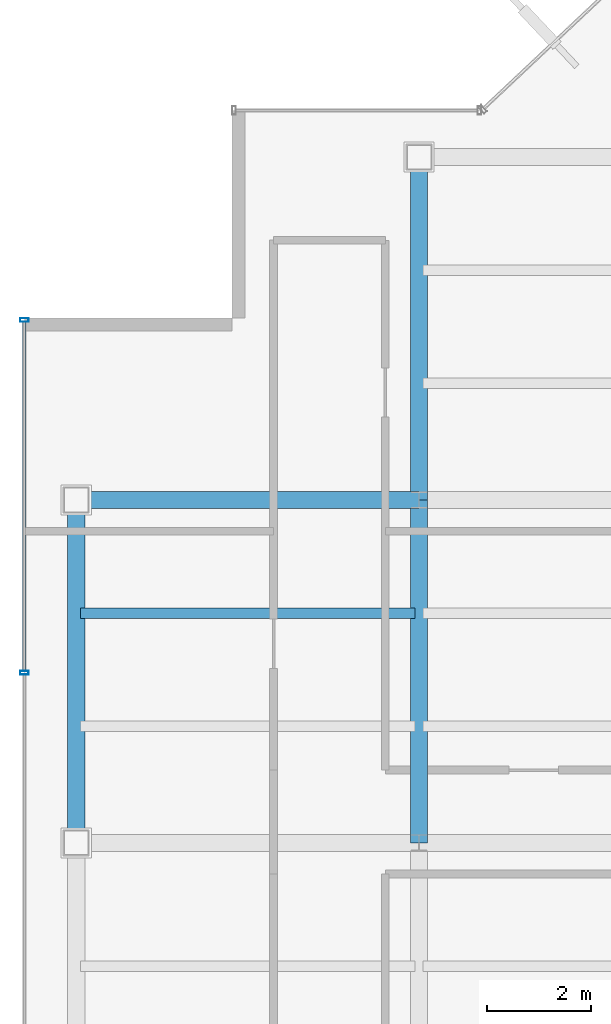
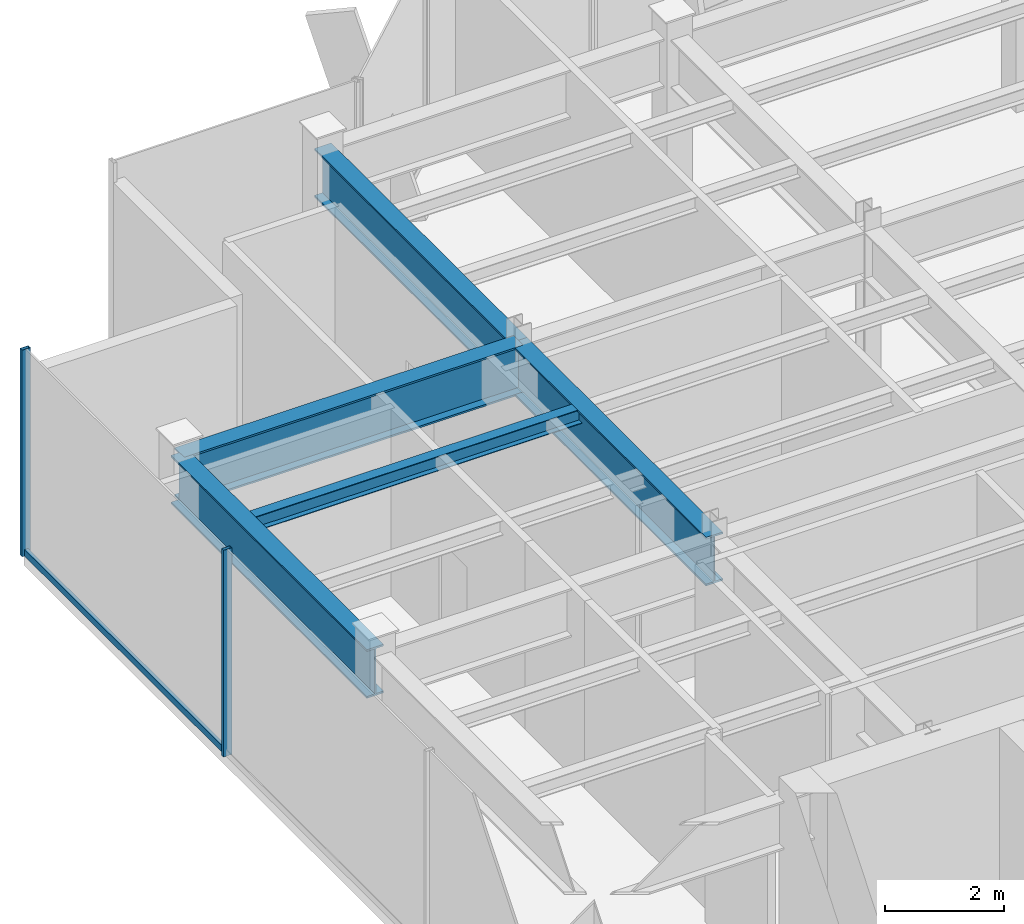
# One storey, part 7 of 24: 5 beams, 3 members, 1 element without a shape of its own.
"""IFC4 building model written with IfcOpenShell, lengths in metres."""

import ifcopenshell
import ifcopenshell.guid

model = None  # the IFC model being written
_history = None  # IfcOwnerHistory: only IFC2X3 demands one
_inside = {}  # id of a spatial element -> (the spatial element, [elements in it])
_under = {}  # id of a project, library or spatial element -> (it, [spatial elements below it])
_declared = {}  # id of a project -> (the project, [libraries it declares])
_typed = {}  # id of a type object -> (the type object, [elements of that type])
_made_of = {}  # id of a material, layer set ... -> (it, [elements and type objects made of it])


def new_model(schema):
    """Start an empty IFC model of exactly this schema.

    Asked for "IFC4X3", IfcOpenShell would pick the latest addendum, in which some entities
    have other attributes; the version numbers below select the first issue.
    IFC2X3 requires an IfcOwnerHistory on every rooted entity: one is made here for all.
    """
    global model, _history
    if schema == "IFC4X3":
        model = ifcopenshell.file(schema_version=(4, 3, 0, 0))
    else:
        model = ifcopenshell.file(schema=schema)
    _inside.clear()
    _under.clear()
    _declared.clear()
    _typed.clear()
    _made_of.clear()
    _history = None
    if model.schema == "IFC2X3":
        org = make("IfcOrganization", Name="unknown")
        user = make(
            "IfcPersonAndOrganization",
            ThePerson=make("IfcPerson", FamilyName="unknown"),
            TheOrganization=org,
        )
        app = make(
            "IfcApplication",
            ApplicationDeveloper=org,
            Version="unknown",
            ApplicationFullName="unknown",
            ApplicationIdentifier="unknown",
        )
        _history = make(
            "IfcOwnerHistory",
            OwningUser=user,
            OwningApplication=app,
            ChangeAction="ADDED",
            CreationDate=0,
        )
    return model


def make(cls, **values):
    """One entity of the class cls with the attributes given. An attribute that is None is left unset."""
    return model.create_entity(
        cls, **{name: value for name, value in values.items() if value is not None}
    )


def rooted(cls, **values):
    """An entity with a GlobalId (a new one), such as an element, a storey or a relation."""
    return make(cls, GlobalId=ifcopenshell.guid.new(), OwnerHistory=_history, **values)


def si_unit(unit_type, name, prefix=None):
    """IfcSIUnit, for example si_unit("LENGTHUNIT", "METRE", prefix="MILLI")."""
    return make("IfcSIUnit", UnitType=unit_type, Prefix=prefix, Name=name)


def derived_unit(unit_type, elements):
    """IfcDerivedUnit: a product of units, each with its exponent."""
    return make(
        "IfcDerivedUnit",
        Elements=[
            make("IfcDerivedUnitElement", Unit=unit, Exponent=power)
            for unit, power in elements
        ],
        UnitType=unit_type,
    )


def assignment(units):
    """IfcUnitAssignment: the units of a project."""
    return None if units is None else make("IfcUnitAssignment", Units=units)


def point(xyz):
    """IfcCartesianPoint."""
    return None if xyz is None else make("IfcCartesianPoint", Coordinates=xyz)


def direction(xyz):
    """IfcDirection."""
    return None if xyz is None else make("IfcDirection", DirectionRatios=xyz)


def frame(location, z_axis=None, x_axis=None):
    """IfcAxis2Placement3D, a coordinate frame: its origin and axes. An axis left out is left unset."""
    return make(
        "IfcAxis2Placement3D",
        Location=point(location),
        Axis=direction(z_axis),
        RefDirection=direction(x_axis),
    )


def frame_2d(location, x_axis=None):
    """IfcAxis2Placement2D, a coordinate frame in the plane: its origin and x axis."""
    return make(
        "IfcAxis2Placement2D", Location=point(location), RefDirection=direction(x_axis)
    )


def origin():
    """The frame at (0, 0, 0) with its axes left unset."""
    return frame((0.0, 0.0, 0.0))


def origin_2d():
    """The frame at (0, 0) in the plane with its x axis left unset."""
    return frame_2d((0.0, 0.0))


def place(relative_to, where):
    """IfcLocalPlacement: puts the frame where relative to a parent placement (None: the world)."""
    return make(
        "IfcLocalPlacement", PlacementRelTo=relative_to, RelativePlacement=where
    )


def context(
    kind, dimensions, precision=None, world=None, true_north=None, identifier=None
):
    """IfcGeometricRepresentationContext, for example the 3D "Model" context."""
    return make(
        "IfcGeometricRepresentationContext",
        ContextIdentifier=identifier,
        ContextType=kind,
        CoordinateSpaceDimension=dimensions,
        Precision=precision,
        WorldCoordinateSystem=world,
        TrueNorth=true_north,
    )


def subcontext(parent, identifier, kind, view, scale=None):
    """IfcGeometricRepresentationSubContext, for example "Body" below "Model"."""
    return make(
        "IfcGeometricRepresentationSubContext",
        ContextIdentifier=identifier,
        ContextType=kind,
        ParentContext=parent,
        TargetScale=scale,
        TargetView=view,
    )


def project(units=None, contexts=None):
    """IfcProject with its units and contexts."""
    return rooted(
        "IfcProject",
        Name="project",
        RepresentationContexts=contexts,
        UnitsInContext=assignment(units),
    )


def spatial(cls, under=None, at=None, **own):
    """A site, building, storey or space (cls), placed at a placement, below another one or the project."""
    s = rooted(cls, ObjectPlacement=at, **own)
    if under is not None:
        _under.setdefault(under.id(), (under, []))[1].append(s)
    return s


def profile(cls, at=None, kind="AREA", **sizes):
    """A parametric profile (cls). Its sizes go by their IFC names, for example OverallWidth=200.0."""
    return make(cls, ProfileType=kind, Position=at, **sizes)


def hollow_rectangle(**sizes):
    """IfcRectangleHollowProfileDef."""
    return profile("IfcRectangleHollowProfileDef", **sizes)


def i_section(**sizes):
    """IfcIShapeProfileDef."""
    return profile("IfcIShapeProfileDef", **sizes)


def extrude(swept, where, along, depth):
    """IfcExtrudedAreaSolid: the profile swept, set in the frame where, extruded along a direction by depth."""
    return make(
        "IfcExtrudedAreaSolid",
        SweptArea=swept,
        Position=where,
        ExtrudedDirection=direction(along),
        Depth=depth,
    )


def shape(context_of_items, identifier, shape_type, items):
    """IfcShapeRepresentation: the items that make up one representation, for example the "Body"."""
    return make(
        "IfcShapeRepresentation",
        ContextOfItems=context_of_items,
        RepresentationIdentifier=identifier,
        RepresentationType=shape_type,
        Items=items,
    )


def source(mapping_origin, context_of_items, identifier, shape_type, items):
    """IfcRepresentationMap: a shape defined once, which mapped items show again and again."""
    return make(
        "IfcRepresentationMap",
        MappingOrigin=mapping_origin,
        MappedRepresentation=shape(context_of_items, identifier, shape_type, items),
    )


def transform(
    local_origin,
    x_axis=None,
    y_axis=None,
    z_axis=None,
    scale=None,
    scale2=None,
    scale3=None,
    uniform=True,
):
    """IfcCartesianTransformationOperator3D, or its non-uniform kind. x_axis, y_axis, z_axis: its Axis1, 2, 3."""
    if uniform:
        return make(
            "IfcCartesianTransformationOperator3D",
            Axis1=direction(x_axis),
            Axis2=direction(y_axis),
            LocalOrigin=point(local_origin),
            Scale=scale,
            Axis3=direction(z_axis),
        )
    return make(
        "IfcCartesianTransformationOperator3DnonUniform",
        Axis1=direction(x_axis),
        Axis2=direction(y_axis),
        LocalOrigin=point(local_origin),
        Scale=scale,
        Axis3=direction(z_axis),
        Scale2=scale2,
        Scale3=scale3,
    )


def mapped(mapping_source, mapping_target):
    """IfcMappedItem: shows the shape of a source again, moved by a transform."""
    return make(
        "IfcMappedItem", MappingSource=mapping_source, MappingTarget=mapping_target
    )


def material(Name=None, Category=None):
    """IfcMaterial."""
    return make("IfcMaterial", Name=Name, Category=Category)


def material_profile(
    of_material, cross_section, Name=None, Category=None, Priority=None
):
    """IfcMaterialProfile: a cross section and its material."""
    return make(
        "IfcMaterialProfile",
        Name=Name,
        Material=of_material,
        Profile=cross_section,
        Priority=Priority,
        Category=Category,
    )


def profile_set(profiles, Name=None, composite=None):
    """IfcMaterialProfileSet."""
    return make(
        "IfcMaterialProfileSet",
        Name=Name,
        MaterialProfiles=profiles,
        CompositeProfile=composite,
    )


def made_of(thing, what):
    """Note that an element or type object is made of a material, layer set ...; save() writes the relation."""
    if what is not None:
        _made_of.setdefault(what.id(), (what, []))[1].append(thing)
    return thing


def type_object(cls, material=None, **own):
    """A type object (cls), such as IfcWallType, which elements share."""
    return made_of(rooted(cls, **own), material)


def element(
    cls,
    number,
    at=None,
    inside=None,
    cuts=None,
    type_object=None,
    material=None,
    context=None,
    identifier="Body",
    shape_type=None,
    held_by="IfcProductDefinitionShape",
    body=None,
    shapes=None,
    **own,
):
    """One element of the class cls, such as IfcWall. Its Tag is "e" and its number.

    at: its placement. inside: the storey or other place that contains it. cuts: it is an
    opening in that element (IfcRelVoidsElement). A single representation is given by context,
    identifier, shape_type and body (its items); several are given by shapes. held_by: the class
    of the entity that holds the representations. save() writes the other relations.
    """
    e = rooted(cls, Tag="e%d" % number, ObjectPlacement=at, **own)
    if body is not None:
        shapes = [shape(context, identifier, shape_type, body)]
    if shapes is not None:
        e.Representation = make(held_by, Representations=shapes)
    if inside is not None:
        _inside.setdefault(inside.id(), (inside, []))[1].append(e)
    if cuts is not None:
        rooted(
            "IfcRelVoidsElement", RelatingBuildingElement=cuts, RelatedOpeningElement=e
        )
    if type_object is not None:
        _typed.setdefault(type_object.id(), (type_object, []))[1].append(e)
    return made_of(e, material)


def aggregate(whole, parts):
    """IfcRelAggregates: a whole, such as a stair, and the parts it consists of."""
    return rooted("IfcRelAggregates", RelatingObject=whole, RelatedObjects=parts)


def save(model, path):
    """Write the relations noted so far, then the file.

    IfcRelAggregates (storeys below a building ...), IfcRelContainedInSpatialStructure (elements
    in a storey), IfcRelDefinesByType, IfcRelAssociatesMaterial and IfcRelDeclares: one each for
    every whole, place, type object, material and project.
    """
    for whole, parts in _under.values():
        aggregate(whole, parts)
    for where, things in _inside.values():
        rooted(
            "IfcRelContainedInSpatialStructure",
            RelatedElements=things,
            RelatingStructure=where,
        )
    for kind, things in _typed.values():
        rooted("IfcRelDefinesByType", RelatedObjects=things, RelatingType=kind)
    for what, things in _made_of.values():
        rooted("IfcRelAssociatesMaterial", RelatedObjects=things, RelatingMaterial=what)
    for by, libraries in _declared.values():
        rooted("IfcRelDeclares", RelatingContext=by, RelatedDefinitions=libraries)
    model.write(path)


model = new_model("IFC4")

# Units and contexts
model_context = context("Model", 3, precision=1e-05, world=origin(), true_north=direction((0.0, 1.0)))
body_context = subcontext(model_context, "Body", "Model", "MODEL_VIEW")
ifc_project = project(units=[si_unit("LENGTHUNIT", "METRE"), si_unit("AREAUNIT", "SQUARE_METRE"), si_unit("VOLUMEUNIT", "CUBIC_METRE"), si_unit("PLANEANGLEUNIT", "RADIAN"), si_unit("MASSUNIT", "GRAM", prefix="KILO"), derived_unit("THERMALTRANSMITTANCEUNIT", [(si_unit("POWERUNIT", "WATT"), 1), (si_unit("LENGTHUNIT", "METRE"), -2), (si_unit("THERMODYNAMICTEMPERATUREUNIT", "KELVIN"), -1)])], contexts=[model_context])

# Site, building, storey
site_placement = place(None, origin())
site = spatial("IfcSite", under=ifc_project, at=site_placement, CompositionType="ELEMENT")
building_placement = place(site_placement, origin())
building = spatial("IfcBuilding", under=site, at=building_placement, Name="Skarnbrae Concourse Arena and Tower", CompositionType="ELEMENT")
storey_placement = place(building_placement, frame((0.0, 0.0, 288.0)))
storey = spatial("IfcBuildingStorey", under=building, at=storey_placement, Name="L75", CompositionType="ELEMENT", Elevation=288.0)

# Beams
ifc_material_1 = material(Name="Steel CSA G40.21 350W", Category="steel")
ifc_material_profile_1 = material_profile(ifc_material_1, i_section(OverallWidth=0.327880859375, OverallDepth=1.0, WebThickness=0.02099609375, FlangeThickness=0.03759765625, at=origin_2d()), Name="W1000X371")
ifc_profile_set_1 = profile_set([ifc_material_profile_1], Name="Steel CSA G40.21 350W")
beam_type_1 = type_object("IfcBeamType", Name="BM-XFER-W1000X371", PredefinedType="BEAM", material=ifc_profile_set_1)
shared_shape_1 = source(origin(), body_context, "Body", "SweptSolid", [
    extrude(i_section(OverallWidth=0.327880859375, OverallDepth=1.0, WebThickness=0.02099609375, FlangeThickness=0.03759765625, at=origin_2d()), origin(), (0.0, 0.0, 1.0), 6.60009765625),
])
for number, where, z_axis, x_axis, name in (
    (1, (1.0, 27.800048828125, 3.35009765625), (1.0, 0.0, 0.0), (0.0, 1.0, 0.0), "L75 Primary E-W girder Y27.8-1"),
    (2, (1.0, 21.199951171875, 3.35009765625), (0.0, 1.0, 0.0), (-1.0, 0.0, 0.0), "L75 Perimeter spandrel X1.0-3"),
    (3, (7.60009765625, 21.199951171875, 3.35009765625), (0.0, 1.0, 0.0), (-1.0, 0.0, 0.0), "L75 Primary N-S girder X7.6-2"),
):
    element("IfcBeam", number, at=place(storey_placement, frame(where, z_axis=z_axis, x_axis=x_axis)), inside=storey, type_object=beam_type_1, Name=name, PredefinedType="BEAM", context=body_context, shape_type="MappedRepresentation", body=[
        mapped(shared_shape_1, transform((0.0, 0.0, 0.0))),
    ])
shared_shape_2 = source(origin(), body_context, "Body", "SweptSolid", [
    extrude(i_section(OverallWidth=0.327880859375, OverallDepth=1.0, WebThickness=0.02099609375, FlangeThickness=0.03759765625, at=origin_2d()), origin(), (0.0, 0.0, 1.0), 6.599853515625),
])
beam_1_placement = place(storey_placement, frame((7.60009765625, 27.800048828125, 3.35009765625), z_axis=(0.0, 1.0, 0.0), x_axis=(-1.0, 0.0, 0.0)))
element("IfcBeam", 4, at=beam_1_placement, inside=storey, type_object=beam_type_1, Name="L75 Primary N-S girder X7.6-3", PredefinedType="BEAM", context=body_context, shape_type="MappedRepresentation", body=[
    mapped(shared_shape_2, transform((0.0, 0.0, 0.0))),
])
ifc_material_profile_2 = material_profile(ifc_material_1, i_section(OverallWidth=0.202880859375, OverallDepth=0.302978515625, WebThickness=0.007568359375, FlangeThickness=0.01318359375, at=origin_2d()), Name="W310X60")
ifc_profile_set_2 = profile_set([ifc_material_profile_2], Name="Steel CSA G40.21 350W")
beam_type_2 = type_object("IfcBeamType", Name="BM-JOIST-W310X60", PredefinedType="JOIST", material=ifc_profile_set_2)
shared_shape_3 = source(origin(), body_context, "Body", "SweptSolid", [
    extrude(i_section(OverallWidth=0.202880859375, OverallDepth=0.302978515625, WebThickness=0.007568359375, FlangeThickness=0.01318359375, at=origin_2d()), origin(), (0.0, 0.0, 1.0), 6.43994140625),
])
beam_2_placement = place(storey_placement, frame((1.080078125, 25.6220703125, 3.698486328125), z_axis=(1.0, 0.0, 0.0), x_axis=(0.0, 1.0, 0.0)))
element("IfcBeam", 5, at=beam_2_placement, inside=storey, type_object=beam_type_2, Name="L75 Secondary floor joist 2.2.1", PredefinedType="JOIST", context=body_context, shape_type="MappedRepresentation", body=[
    mapped(shared_shape_3, transform((0.0, 0.0, 0.0))),
])

# Curtain wall, members
ifc_material_2 = material(Name="Bronze anodised aluminium 6063-T6", Category="aluminium")
curtain_wall_type = type_object("IfcCurtainWallType", Name="CW-SYS-06-SKYLOBBY", PredefinedType="USERDEFINED", material=ifc_material_2)
curtain_wall_placement = place(storey_placement, origin())
curtain_wall = element("IfcCurtainWall", 6, at=curtain_wall_placement, inside=storey, type_object=curtain_wall_type, Name="L75 Unitised curtain wall CW-L75-E18", ObjectType="UNITISED CURTAIN WALL", PredefinedType="USERDEFINED")
ifc_material_profile_3 = material_profile(ifc_material_2, hollow_rectangle(XDim=0.070068359375, YDim=0.1650390625, WallThickness=0.00390625, at=origin_2d()), Name="ALU-MULL-70X165")
ifc_profile_set_3 = profile_set([ifc_material_profile_3], Name="Bronze anodised aluminium 6063-T6")
member_type_1 = type_object("IfcMemberType", Name="CWM-CW-06", PredefinedType="MULLION", material=ifc_profile_set_3)
shared_shape_4 = source(origin(), body_context, "Body", "SweptSolid", [
    extrude(hollow_rectangle(XDim=0.070068359375, YDim=0.1650390625, WallThickness=0.00390625, at=origin_2d()), origin(), (0.0, 0.0, 1.0), 4.25),
])
member_1_placement = place(storey_placement, frame((0.0, 31.264892578125, 0.0), z_axis=(0.0, 0.0, 1.0), x_axis=(0.0, -1.0, 0.0)))
member_1 = element("IfcMember", 7, at=member_1_placement, type_object=member_type_1, Name="CW-L75-E18 Mullion 1", PredefinedType="MULLION", context=body_context, shape_type="MappedRepresentation", body=[
    mapped(shared_shape_4, transform((0.0, 0.0, 0.0))),
])
member_2_placement = place(storey_placement, frame((0.0, 24.47509765625, 0.0), z_axis=(0.0, 0.0, 1.0), x_axis=(0.0, -1.0, 0.0)))
member_2 = element("IfcMember", 8, at=member_2_placement, type_object=member_type_1, Name="CW-L75-E18 Mullion 2", PredefinedType="MULLION", context=body_context, shape_type="MappedRepresentation", body=[
    mapped(shared_shape_4, transform((0.0, 0.0, 0.0))),
])
ifc_material_profile_4 = material_profile(ifc_material_2, hollow_rectangle(XDim=0.070068359375, YDim=0.135009765625, WallThickness=0.00390625, at=origin_2d()), Name="ALU-TRAN-70X135")
ifc_profile_set_4 = profile_set([ifc_material_profile_4], Name="Bronze anodised aluminium 6063-T6")
member_type_2 = type_object("IfcMemberType", Name="CWT-CW-06", PredefinedType="USERDEFINED", material=ifc_profile_set_4)
shared_shape_5 = source(origin(), body_context, "Body", "SweptSolid", [
    extrude(hollow_rectangle(XDim=0.070068359375, YDim=0.135009765625, WallThickness=0.00390625, at=origin_2d()), origin(), (0.0, 0.0, 1.0), 6.719970703125),
])
member_3_placement = place(storey_placement, frame((0.0, 31.22998046875, 0.0673828125), z_axis=(0.0, -1.0, 0.0), x_axis=(1.0, 0.0, 0.0)))
member_3 = element("IfcMember", 9, at=member_3_placement, type_object=member_type_2, Name="CW-L75-E18 Transom 1", ObjectType="TRANSOM", PredefinedType="USERDEFINED", context=body_context, shape_type="MappedRepresentation", body=[
    mapped(shared_shape_5, transform((0.0, 0.0, 0.0))),
])
aggregate(curtain_wall, [member_1, member_2, member_3])

save(model, "model.ifc")
